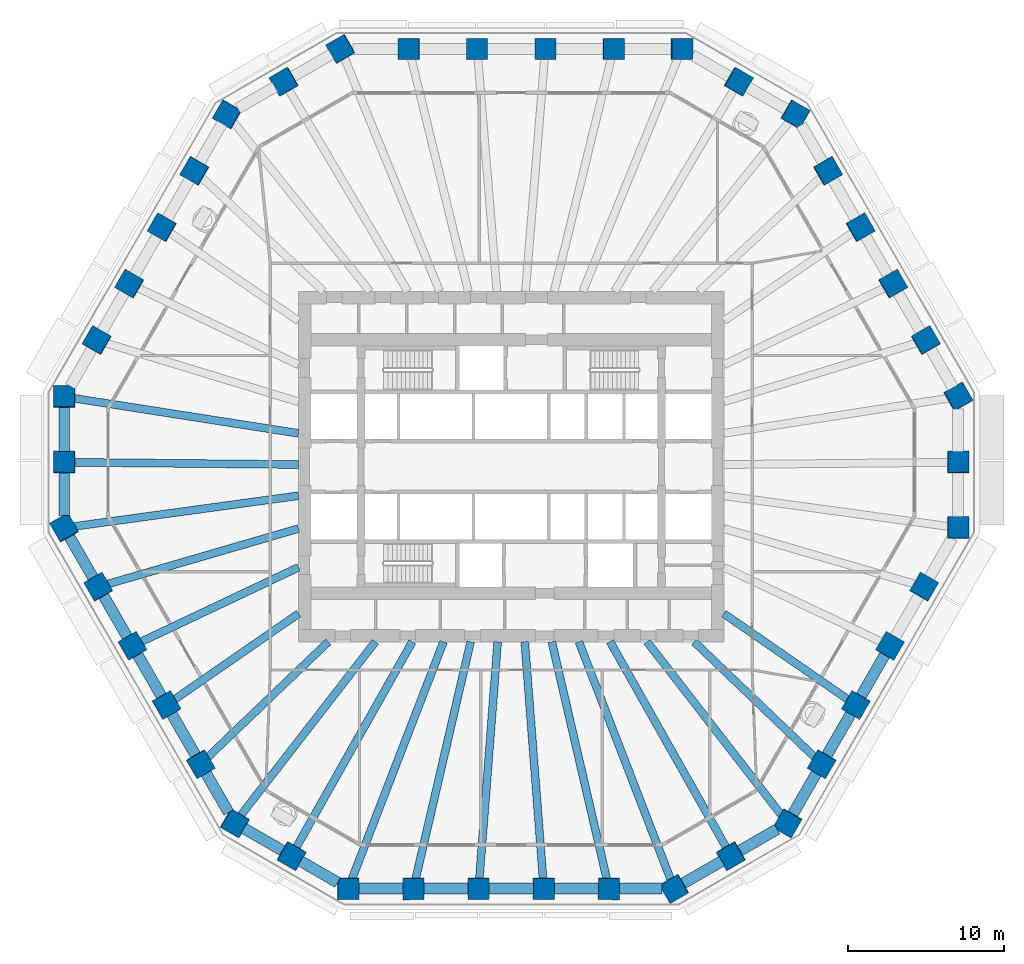
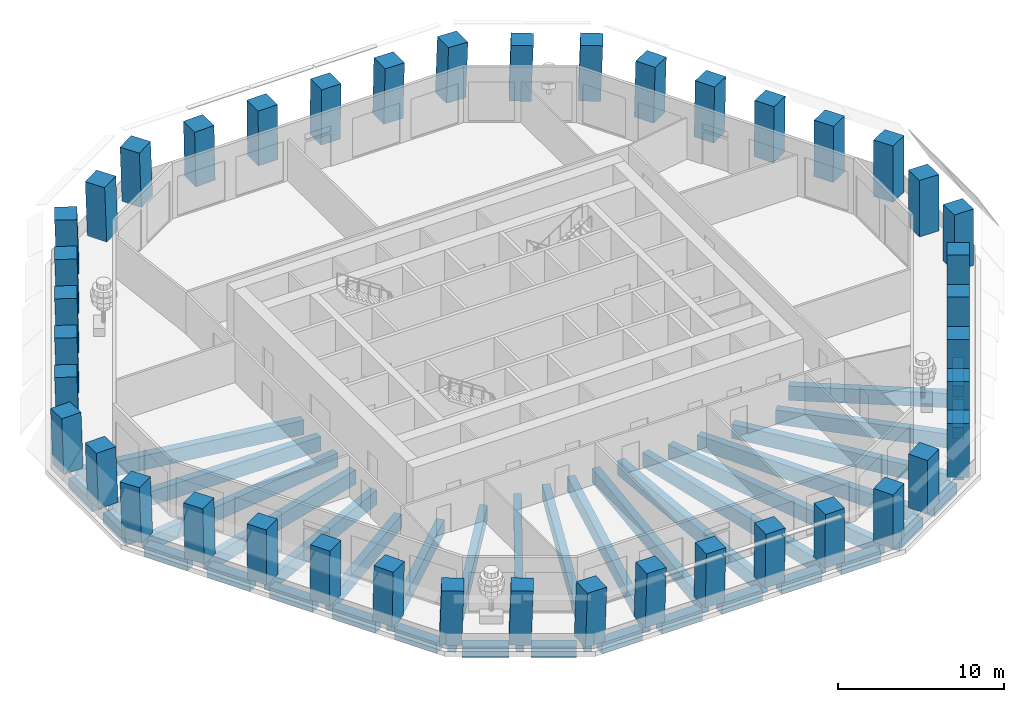
# One storey, part 1 of 12: 42 columns, 38 beams.
"""IFC4 building model written with IfcOpenShell, lengths in metres."""

from ifc_helpers import new_model, si_unit, direction, frame, origin, origin_2d, place, context, subcontext, project, spatial, rectangle, extrude, material, material_profile, profile_set, type_object, element, save


model = new_model("IFC4")

# Units and contexts
model_context = context("Model", 3, precision=1e-05, world=origin(), true_north=direction((0.0, 1.0)))
body_context = subcontext(model_context, "Body", "Model", "MODEL_VIEW")
ifc_project = project(units=[si_unit("LENGTHUNIT", "METRE"), si_unit("AREAUNIT", "SQUARE_METRE"), si_unit("VOLUMEUNIT", "CUBIC_METRE"), si_unit("PLANEANGLEUNIT", "RADIAN"), si_unit("MASSUNIT", "GRAM", prefix="KILO")], contexts=[model_context])

# Site, building, storey
site_placement = place(None, origin())
site = spatial("IfcSite", under=ifc_project, at=site_placement, CompositionType="ELEMENT")
building_placement = place(site_placement, origin())
building = spatial("IfcBuilding", under=site, at=building_placement, Name="Frailejon Research Tower", CompositionType="ELEMENT")
storey_placement = place(building_placement, frame((0.0, 0.0, 89.60009765625)))
storey = spatial("IfcBuildingStorey", under=building, at=storey_placement, Name="L19", CompositionType="ELEMENT", Elevation=89.60009765625)

# Columns
ifc_material_1 = material(Name="Concrete C70/85", Category="concrete")
ifc_material_profile_1 = material_profile(ifc_material_1, rectangle(XDim=1.35009765625, YDim=1.35009765625, at=origin_2d()), Name="Column 1350")
ifc_profile_set_1 = profile_set([ifc_material_profile_1], Name="Concrete C70/85")
column_type = type_object("IfcColumnType", Name="Column 1350", PredefinedType="COLUMN", material=ifc_profile_set_1)
for number, where, z_axis, x_axis, name in (
    (1, (28.572509765625, -3.910888671875, 0.0), (0.018133721723, 0.031387604711, 0.999342777233), (-2.2310109e-05, 0.999507138094, -0.031392362166), "Column C01"),
    (2, (28.572509765625, 0.276611328125, 0.0), (0.018133721723, 0.031387604711, 0.999342777233), (-0.000336417711, 0.999507260604, -0.031386666328), "Column C02"),
    (3, (28.572509765625, 4.464111328125, 0.0), (0.018133721723, 0.031387604711, 0.999342777233), (-0.499938617502, 0.865871183901, -0.018123786047), "Column C03"),
):
    element("IfcColumn", number, at=place(storey_placement, frame(where, z_axis=z_axis, x_axis=x_axis)), inside=storey, type_object=column_type, Name=name, PredefinedType="COLUMN", context=body_context, shape_type="SweptSolid", body=[
        extrude(rectangle(XDim=1.35009765625, YDim=1.35009765625, at=origin_2d()), origin(), (0.0, 0.0, 1.0), 4.052490234375),
    ])
column_1_placement = place(storey_placement, frame((26.48828125, 8.07373046875, 0.0), z_axis=(0.021810922545, 0.025124736744, 0.999446362373), x_axis=(-0.499316971817, 0.866351047288, -0.010882303046)))
element("IfcColumn", 4, at=column_1_placement, inside=storey, type_object=column_type, Name="Column C04", PredefinedType="COLUMN", context=body_context, shape_type="SweptSolid", body=[
    extrude(rectangle(XDim=1.35009765625, YDim=1.35009765625, at=origin_2d()), origin(), (0.0, 0.0, 1.0), 4.052001953125),
])
for number, where, z_axis, x_axis, name in (
    (5, (24.404296875, 11.683349609375, 0.0), (0.025427325519, 0.018859603999, 0.999498757605), (-0.499709920211, 0.866185204366, -0.003631443371), "Column C05"),
    (6, (22.3203125, 15.293212890625, 0.0), (0.029042609587, 0.012532910361, 0.999499601294), (-0.49879515245, 0.866712322629, 0.003625699323), "Column C06"),
):
    element("IfcColumn", number, at=place(storey_placement, frame(where, z_axis=z_axis, x_axis=x_axis)), inside=storey, type_object=column_type, Name=name, PredefinedType="COLUMN", context=body_context, shape_type="SweptSolid", body=[
        extrude(rectangle(XDim=1.35009765625, YDim=1.35009765625, at=origin_2d()), origin(), (0.0, 0.0, 1.0), 4.0517578125),
    ])
column_2_placement = place(storey_placement, frame((20.236328125, 18.90283203125, 0.0), z_axis=(0.032656153574, 0.006266125409, 0.99944700275), x_axis=(-0.499519802521, 0.866234012369, 0.010890486839)))
element("IfcColumn", 7, at=column_2_placement, inside=storey, type_object=column_type, Name="Column C07", PredefinedType="COLUMN", context=body_context, shape_type="SweptSolid", body=[
    extrude(rectangle(XDim=1.35009765625, YDim=1.35009765625, at=origin_2d()), origin(), (0.0, 0.0, 1.0), 4.052001953125),
])
for number, where, z_axis, x_axis, name in (
    (8, (18.15234375, 22.512451171875, 0.0), (0.036267419622, 0.0, 0.999342120734), (-0.865313477853, 0.500246354177, 0.031403346616), "Column C08"),
    (9, (14.525634765625, 24.606201171875, 0.0), (0.036267419622, 0.0, 0.999342120734), (-0.865313477853, 0.500246354177, 0.031403346616), "Column C09"),
    (10, (10.899169921875, 26.699951171875, 0.0), (0.036267419622, 0.0, 0.999342120734), (-0.999342120734, 0.0, 0.036267419622), "Column C10"),
):
    element("IfcColumn", number, at=place(storey_placement, frame(where, z_axis=z_axis, x_axis=x_axis)), inside=storey, type_object=column_type, Name=name, PredefinedType="COLUMN", context=body_context, shape_type="SweptSolid", body=[
        extrude(rectangle(XDim=1.35009765625, YDim=1.35009765625, at=origin_2d()), origin(), (0.0, 0.0, 1.0), 4.052490234375),
    ])
column_3_placement = place(storey_placement, frame((6.53955078125, 26.699951171875, 0.0), z_axis=(0.021757568282, 0.0, 0.999763276092), x_axis=(-0.999763276092, 0.0, 0.021757568282)))
element("IfcColumn", 11, at=column_3_placement, inside=storey, type_object=column_type, Name="Column C11", PredefinedType="COLUMN", context=body_context, shape_type="SweptSolid", body=[
    extrude(rectangle(XDim=1.35009765625, YDim=1.35009765625, at=origin_2d()), origin(), (0.0, 0.0, 1.0), 4.05078125),
])
for number, where, z_axis, x_axis, name in (
    (12, (2.1796875, 26.699951171875, 0.0), (0.007294235652, 0.0, 0.999973396709), (-0.999973396709, 0.0, 0.007294235652), "Column C12"),
    (13, (-2.1796875, 26.699951171875, 0.0), (-0.007294235652, 0.0, 0.999973396709), (-0.999973396709, 0.0, -0.007294235652), "Column C13"),
):
    element("IfcColumn", number, at=place(storey_placement, frame(where, z_axis=z_axis, x_axis=x_axis)), inside=storey, type_object=column_type, Name=name, PredefinedType="COLUMN", context=body_context, shape_type="SweptSolid", body=[
        extrude(rectangle(XDim=1.35009765625, YDim=1.35009765625, at=origin_2d()), origin(), (0.0, 0.0, 1.0), 4.0498046875),
    ])
column_4_placement = place(storey_placement, frame((-6.53955078125, 26.699951171875, 0.0), z_axis=(-0.021757568282, 0.0, 0.999763276092), x_axis=(-0.999763276092, 0.0, -0.021757568282)))
element("IfcColumn", 14, at=column_4_placement, inside=storey, type_object=column_type, Name="Column C14", PredefinedType="COLUMN", context=body_context, shape_type="SweptSolid", body=[
    extrude(rectangle(XDim=1.35009765625, YDim=1.35009765625, at=origin_2d()), origin(), (0.0, 0.0, 1.0), 4.05078125),
])
for number, where, z_axis, x_axis, name in (
    (15, (-10.899169921875, 26.699951171875, 0.0), (-0.036267419622, 0.0, 0.999342120734), (-0.865313477853, -0.500246354177, -0.031403346616), "Column C15"),
    (16, (-14.525634765625, 24.606201171875, 0.0), (-0.036267419622, 0.0, 0.999342120734), (-0.865313477853, -0.500246354177, -0.031403346616), "Column C16"),
    (17, (-18.15234375, 22.512451171875, 0.0), (-0.036267419622, 0.0, 0.999342120734), (-0.499424827821, -0.866167613071, -0.018124773713), "Column C17"),
):
    element("IfcColumn", number, at=place(storey_placement, frame(where, z_axis=z_axis, x_axis=x_axis)), inside=storey, type_object=column_type, Name=name, PredefinedType="COLUMN", context=body_context, shape_type="SweptSolid", body=[
        extrude(rectangle(XDim=1.35009765625, YDim=1.35009765625, at=origin_2d()), origin(), (0.0, 0.0, 1.0), 4.052490234375),
    ])
column_5_placement = place(storey_placement, frame((-20.236328125, 18.90283203125, 0.0), z_axis=(-0.032656153574, 0.006266125409, 0.99944700275), x_axis=(-0.499519802521, -0.866234012369, -0.010890486839)))
element("IfcColumn", 18, at=column_5_placement, inside=storey, type_object=column_type, Name="Column C18", PredefinedType="COLUMN", context=body_context, shape_type="SweptSolid", body=[
    extrude(rectangle(XDim=1.35009765625, YDim=1.35009765625, at=origin_2d()), origin(), (0.0, 0.0, 1.0), 4.052001953125),
])
for number, where, z_axis, x_axis, name in (
    (19, (-22.3203125, 15.293212890625, 0.0), (-0.029042609587, 0.012532910361, 0.999499601294), (-0.49879515245, -0.866712322629, -0.003625699323), "Column C19"),
    (20, (-24.404296875, 11.683349609375, 0.0), (-0.025427325519, 0.018859603999, 0.999498757605), (-0.499709920211, -0.866185204366, 0.003631443371), "Column C20"),
):
    element("IfcColumn", number, at=place(storey_placement, frame(where, z_axis=z_axis, x_axis=x_axis)), inside=storey, type_object=column_type, Name=name, PredefinedType="COLUMN", context=body_context, shape_type="SweptSolid", body=[
        extrude(rectangle(XDim=1.35009765625, YDim=1.35009765625, at=origin_2d()), origin(), (0.0, 0.0, 1.0), 4.0517578125),
    ])
column_6_placement = place(storey_placement, frame((-26.48828125, 8.07373046875, 0.0), z_axis=(-0.021810922545, 0.025124736744, 0.999446362373), x_axis=(-0.499316971817, -0.866351047288, 0.010882303046)))
element("IfcColumn", 21, at=column_6_placement, inside=storey, type_object=column_type, Name="Column C21", PredefinedType="COLUMN", context=body_context, shape_type="SweptSolid", body=[
    extrude(rectangle(XDim=1.35009765625, YDim=1.35009765625, at=origin_2d()), origin(), (0.0, 0.0, 1.0), 4.052001953125),
])
for number, where, z_axis, x_axis, name in (
    (22, (-28.572509765625, 4.464111328125, 0.0), (-0.018133721723, 0.031387604711, 0.999342777233), (-2.2310109e-05, -0.999507138094, 0.031392362166), "Column C22"),
    (23, (-28.572509765625, 0.276611328125, 0.0), (-0.018133721723, 0.031387604711, 0.999342777233), (-0.000336417711, -0.999507260604, 0.031386666328), "Column C23"),
    (24, (-28.572509765625, -3.910888671875, 0.0), (-0.018133721723, 0.031387604711, 0.999342777233), (0.500144780873, -0.865182746395, 0.036249324205), "Column C24"),
):
    element("IfcColumn", number, at=place(storey_placement, frame(where, z_axis=z_axis, x_axis=x_axis)), inside=storey, type_object=column_type, Name=name, PredefinedType="COLUMN", context=body_context, shape_type="SweptSolid", body=[
        extrude(rectangle(XDim=1.35009765625, YDim=1.35009765625, at=origin_2d()), origin(), (0.0, 0.0, 1.0), 4.052490234375),
    ])
column_7_placement = place(storey_placement, frame((-26.392578125, -7.6865234375, 0.0), z_axis=(-0.010908911174, 0.018864581201, 0.999762533421), x_axis=(0.500638363085, -0.865382200335, 0.021791667014)))
element("IfcColumn", 25, at=column_7_placement, inside=storey, type_object=column_type, Name="Column C25", PredefinedType="COLUMN", context=body_context, shape_type="SweptSolid", body=[
    extrude(rectangle(XDim=1.35009765625, YDim=1.35009765625, at=origin_2d()), origin(), (0.0, 0.0, 1.0), 4.05078125),
])
for number, where, z_axis, x_axis, name in (
    (26, (-24.212890625, -11.462158203125, 0.0), (-0.003616977835, 0.006269428248, 0.999973805527), (0.499535498869, -0.866263180051, 0.007237973273), "Column C26"),
    (27, (-22.032958984375, -15.23779296875, 0.0), (0.003616977835, -0.006269428248, 0.999973805527), (0.499535498869, -0.866263180051, -0.007237973273), "Column C27"),
):
    element("IfcColumn", number, at=place(storey_placement, frame(where, z_axis=z_axis, x_axis=x_axis)), inside=storey, type_object=column_type, Name=name, PredefinedType="COLUMN", context=body_context, shape_type="SweptSolid", body=[
        extrude(rectangle(XDim=1.35009765625, YDim=1.35009765625, at=origin_2d()), origin(), (0.0, 0.0, 1.0), 4.0498046875),
    ])
column_8_placement = place(storey_placement, frame((-19.85302734375, -19.013427734375, 0.0), z_axis=(0.010848648059, -0.01886459357, 0.999763188933), x_axis=(0.498562444949, -0.866580592009, -0.021761572546)))
element("IfcColumn", 28, at=column_8_placement, inside=storey, type_object=column_type, Name="Column C28", PredefinedType="COLUMN", context=body_context, shape_type="SweptSolid", body=[
    extrude(rectangle(XDim=1.35009765625, YDim=1.35009765625, at=origin_2d()), origin(), (0.0, 0.0, 1.0), 4.05078125),
])
for number, where, z_axis, x_axis, name in (
    (29, (-17.67333984375, -22.7890625, 0.0), (0.018133721723, -0.031387604711, 0.999342777233), (0.86588493646, -0.499257214888, -0.031392836679), "Column C29"),
    (30, (-14.046630859375, -24.8828125, 0.0), (0.018133721723, -0.031387604711, 0.999342777233), (0.86599921333, -0.499059227482, -0.031388691869), "Column C30"),
    (31, (-10.420166015625, -26.9765625, 0.0), (0.018133721723, -0.031387604711, 0.999342777233), (0.999835543525, 0.000801657374, -0.018117484634), "Column C31"),
):
    element("IfcColumn", number, at=place(storey_placement, frame(where, z_axis=z_axis, x_axis=x_axis)), inside=storey, type_object=column_type, Name=name, PredefinedType="COLUMN", context=body_context, shape_type="SweptSolid", body=[
        extrude(rectangle(XDim=1.35009765625, YDim=1.35009765625, at=origin_2d()), origin(), (0.0, 0.0, 1.0), 4.052490234375),
    ])
column_9_placement = place(storey_placement, frame((-6.252197265625, -26.9765625, 0.0), z_axis=(0.010905475742, -0.031390899789, 0.999447688481), x_axis=(0.9999402729, 0.001064003934, -0.01087743208)))
element("IfcColumn", 32, at=column_9_placement, inside=storey, type_object=column_type, Name="Column C32", PredefinedType="COLUMN", context=body_context, shape_type="SweptSolid", body=[
    extrude(rectangle(XDim=1.35009765625, YDim=1.35009765625, at=origin_2d()), origin(), (0.0, 0.0, 1.0), 4.052001953125),
])
for number, where, z_axis, x_axis, name in (
    (33, (-2.083984375, -26.9765625, 0.0), (0.003615266194, -0.031392561451, 0.999500593765), (0.999993458724, 0.000224611473, -0.00360999427), "Column C33"),
    (34, (2.083984375, -26.9765625, 0.0), (-0.003615266194, -0.031392561451, 0.999500593765), (0.999993458724, -0.000224611473, 0.00360999427), "Column C34"),
):
    element("IfcColumn", number, at=place(storey_placement, frame(where, z_axis=z_axis, x_axis=x_axis)), inside=storey, type_object=column_type, Name=name, PredefinedType="COLUMN", context=body_context, shape_type="SweptSolid", body=[
        extrude(rectangle(XDim=1.35009765625, YDim=1.35009765625, at=origin_2d()), origin(), (0.0, 0.0, 1.0), 4.0517578125),
    ])
column_10_placement = place(storey_placement, frame((6.252197265625, -26.9765625, 0.0), z_axis=(-0.010905475742, -0.031390899789, 0.999447688481), x_axis=(0.9999402729, -0.001064003934, 0.01087743208)))
element("IfcColumn", 35, at=column_10_placement, inside=storey, type_object=column_type, Name="Column C35", PredefinedType="COLUMN", context=body_context, shape_type="SweptSolid", body=[
    extrude(rectangle(XDim=1.35009765625, YDim=1.35009765625, at=origin_2d()), origin(), (0.0, 0.0, 1.0), 4.052001953125),
])
for number, where, z_axis, x_axis, name in (
    (36, (10.420166015625, -26.9765625, 0.0), (-0.018133721723, -0.031387604711, 0.999342777233), (0.86599921333, 0.499059227482, 0.031388691869), "Column C36"),
    (37, (14.046630859375, -24.8828125, 0.0), (-0.018133721723, -0.031387604711, 0.999342777233), (0.86599921333, 0.499059227482, 0.031388691869), "Column C37"),
    (38, (17.67333984375, -22.7890625, 0.0), (-0.018133721723, -0.031387604711, 0.999342777233), (0.499674779335, 0.865454274592, 0.036249323948), "Column C38"),
):
    element("IfcColumn", number, at=place(storey_placement, frame(where, z_axis=z_axis, x_axis=x_axis)), inside=storey, type_object=column_type, Name=name, PredefinedType="COLUMN", context=body_context, shape_type="SweptSolid", body=[
        extrude(rectangle(XDim=1.35009765625, YDim=1.35009765625, at=origin_2d()), origin(), (0.0, 0.0, 1.0), 4.052490234375),
    ])
column_11_placement = place(storey_placement, frame((19.85302734375, -19.013427734375, 0.0), z_axis=(-0.010848648059, -0.01886459357, 0.999763188933), x_axis=(0.498562444949, 0.866580592009, 0.021761572546)))
element("IfcColumn", 39, at=column_11_placement, inside=storey, type_object=column_type, Name="Column C39", PredefinedType="COLUMN", context=body_context, shape_type="SweptSolid", body=[
    extrude(rectangle(XDim=1.35009765625, YDim=1.35009765625, at=origin_2d()), origin(), (0.0, 0.0, 1.0), 4.05078125),
])
for number, where, z_axis, x_axis, name in (
    (40, (22.032958984375, -15.23779296875, 0.0), (-0.003616977835, -0.006269428248, 0.999973805527), (0.499535498869, 0.866263180051, 0.007237973273), "Column C40"),
    (41, (24.212890625, -11.462158203125, 0.0), (0.003616977835, 0.006269428248, 0.999973805527), (0.499535498869, 0.866263180051, -0.007237973273), "Column C41"),
):
    element("IfcColumn", number, at=place(storey_placement, frame(where, z_axis=z_axis, x_axis=x_axis)), inside=storey, type_object=column_type, Name=name, PredefinedType="COLUMN", context=body_context, shape_type="SweptSolid", body=[
        extrude(rectangle(XDim=1.35009765625, YDim=1.35009765625, at=origin_2d()), origin(), (0.0, 0.0, 1.0), 4.0498046875),
    ])
column_12_placement = place(storey_placement, frame((26.392578125, -7.6865234375, 0.0), z_axis=(0.010908911174, 0.018864581201, 0.999762533421), x_axis=(0.500638363085, 0.865382200335, -0.021791667014)))
element("IfcColumn", 42, at=column_12_placement, inside=storey, type_object=column_type, Name="Column C42", PredefinedType="COLUMN", context=body_context, shape_type="SweptSolid", body=[
    extrude(rectangle(XDim=1.35009765625, YDim=1.35009765625, at=origin_2d()), origin(), (0.0, 0.0, 1.0), 4.05078125),
])

# Beams
ifc_material_2 = material(Name="Concrete C60/75", Category="concrete")
ifc_material_profile_2 = material_profile(ifc_material_2, rectangle(XDim=0.5, YDim=1.050048828125, at=origin_2d()), Name="Girder 500x1050")
ifc_profile_set_2 = profile_set([ifc_material_profile_2], Name="Concrete C60/75")
beam_type_1 = type_object("IfcBeamType", Name="Girder 500x1050", PredefinedType="BEAM", material=ifc_profile_set_2)
beam_1_placement = place(storey_placement, frame((-28.045654296875, 4.3818359375, -0.8251953125), z_axis=(0.988012431702, -0.154374333369, 0.0), x_axis=(0.154374333369, 0.988012431702, 0.0)))
element("IfcBeam", 43, at=beam_1_placement, inside=storey, type_object=beam_type_1, Name="Girder 500x1050", PredefinedType="BEAM", context=body_context, shape_type="SweptSolid", body=[
    extrude(rectangle(XDim=0.5, YDim=1.050048828125, at=origin_2d()), origin(), (0.0, 0.0, 1.0), 14.620849609375),
])
beam_2_placement = place(storey_placement, frame((-28.047607421875, 0.271484375, -0.8251953125), z_axis=(0.999953124834, -0.009682362075, 0.0), x_axis=(0.009682362075, 0.999953124834, 0.0)))
element("IfcBeam", 44, at=beam_2_placement, inside=storey, type_object=beam_type_1, Name="Girder 500x1050", PredefinedType="BEAM", context=body_context, shape_type="SweptSolid", body=[
    extrude(rectangle(XDim=0.5, YDim=1.050048828125, at=origin_2d()), origin(), (0.0, 0.0, 1.0), 14.4482421875),
])
beam_3_placement = place(storey_placement, frame((-27.998779296875, -3.83251953125, -0.8251953125), z_axis=(0.990761036408, 0.135619204892, 0.0), x_axis=(-0.135619204892, 0.990761036408, 0.0)))
element("IfcBeam", 45, at=beam_3_placement, inside=storey, type_object=beam_type_1, Name="Girder 500x1050", PredefinedType="BEAM", context=body_context, shape_type="SweptSolid", body=[
    extrude(rectangle(XDim=0.5, YDim=1.050048828125, at=origin_2d()), origin(), (0.0, 0.0, 1.0), 14.532958984375),
])
beam_4_placement = place(storey_placement, frame((-25.869384765625, -7.5341796875, -0.8251953125), z_axis=(0.960111404203, 0.279617759664, 0.0), x_axis=(-0.279617759664, 0.960111404203, 0.0)))
element("IfcBeam", 46, at=beam_4_placement, inside=storey, type_object=beam_type_1, Name="Girder 500x1050", PredefinedType="BEAM", context=body_context, shape_type="SweptSolid", body=[
    extrude(rectangle(XDim=0.5, YDim=1.050048828125, at=origin_2d()), origin(), (0.0, 0.0, 1.0), 12.779052734375),
])
beam_5_placement = place(storey_placement, frame((-23.736328125, -11.236572265625, -0.8251953125), z_axis=(0.903842425603, 0.427865480823, 0.0), x_axis=(-0.427865480823, 0.903842425603, 0.0)))
element("IfcBeam", 47, at=beam_5_placement, inside=storey, type_object=beam_type_1, Name="Girder 500x1050", PredefinedType="BEAM", context=body_context, shape_type="SweptSolid", body=[
    extrude(rectangle(XDim=0.5, YDim=1.050048828125, at=origin_2d()), origin(), (0.0, 0.0, 1.0), 11.214599609375),
])
beam_6_placement = place(storey_placement, frame((-21.599365234375, -14.93798828125, -0.8251953125), z_axis=(0.822455971977, 0.568828774026, 0.0), x_axis=(-0.568828774026, 0.822455971977, 0.0)))
element("IfcBeam", 48, at=beam_6_placement, inside=storey, type_object=beam_type_1, Name="Girder 500x1050", PredefinedType="BEAM", context=body_context, shape_type="SweptSolid", body=[
    extrude(rectangle(XDim=0.5, YDim=1.050048828125, at=origin_2d()), origin(), (0.0, 0.0, 1.0), 9.72607421875),
])
beam_7_placement = place(storey_placement, frame((-19.45947265625, -18.636474609375, -0.8251953125), z_axis=(0.722212673584, 0.691671059185, 0.0), x_axis=(-0.691671059185, 0.722212673584, 0.0)))
element("IfcBeam", 49, at=beam_7_placement, inside=storey, type_object=beam_type_1, Name="Girder 500x1050", PredefinedType="BEAM", context=body_context, shape_type="SweptSolid", body=[
    extrude(rectangle(XDim=0.5, YDim=1.050048828125, at=origin_2d()), origin(), (0.0, 0.0, 1.0), 10.75146484375),
])
beam_8_placement = place(storey_placement, frame((-17.34765625, -22.369140625, -0.8251953125), z_axis=(0.612825500398, 0.790218264824, 0.0), x_axis=(-0.790218264824, 0.612825500398, 0.0)))
element("IfcBeam", 50, at=beam_8_placement, inside=storey, type_object=beam_type_1, Name="Girder 500x1050", PredefinedType="BEAM", context=body_context, shape_type="SweptSolid", body=[
    extrude(rectangle(XDim=0.5, YDim=1.050048828125, at=origin_2d()), origin(), (0.0, 0.0, 1.0), 14.13427734375),
])
beam_9_placement = place(storey_placement, frame((-13.78857421875, -24.425537109375, -0.8251953125), z_axis=(0.491594761276, 0.870824087107, 0.0), x_axis=(-0.870824087107, 0.491594761276, 0.0)))
element("IfcBeam", 51, at=beam_9_placement, inside=storey, type_object=beam_type_1, Name="Girder 500x1050", PredefinedType="BEAM", context=body_context, shape_type="SweptSolid", body=[
    extrude(rectangle(XDim=0.5, YDim=1.050048828125, at=origin_2d()), origin(), (0.0, 0.0, 1.0), 15.1875),
])
beam_10_placement = place(storey_placement, frame((-10.21337890625, -26.44140625, -0.8251953125), z_axis=(0.36031742786, 0.932829754661, 0.0), x_axis=(-0.932829754661, 0.36031742786, 0.0)))
element("IfcBeam", 52, at=beam_10_placement, inside=storey, type_object=beam_type_1, Name="Girder 500x1050", PredefinedType="BEAM", context=body_context, shape_type="SweptSolid", body=[
    extrude(rectangle(XDim=0.5, YDim=1.050048828125, at=origin_2d()), origin(), (0.0, 0.0, 1.0), 16.3388671875),
])
beam_11_placement = place(storey_placement, frame((-6.12939453125, -26.44775390625, -0.8251953125), z_axis=(0.225767342968, 0.974181249486, 0.0), x_axis=(-0.974181249486, 0.225767342968, 0.0)))
element("IfcBeam", 53, at=beam_11_placement, inside=storey, type_object=beam_type_1, Name="Girder 500x1050", PredefinedType="BEAM", context=body_context, shape_type="SweptSolid", body=[
    extrude(rectangle(XDim=0.5, YDim=1.050048828125, at=origin_2d()), origin(), (0.0, 0.0, 1.0), 15.65185546875),
])
for number, where, z_axis, x_axis, name in (
    (54, (-2.04345703125, -26.451171875, -0.8251953125), (0.077024809197, 0.997029176488, 0.0), (-0.997029176488, 0.077024809197, 0.0), "Girder 500x1050"),
    (55, (2.04345703125, -26.451171875, -0.8251953125), (-0.077024809197, 0.997029176488, 0.0), (-0.997029176488, -0.077024809197, 0.0), "Girder 500x1050"),
):
    element("IfcBeam", number, at=place(storey_placement, frame(where, z_axis=z_axis, x_axis=x_axis)), inside=storey, type_object=beam_type_1, Name=name, PredefinedType="BEAM", context=body_context, shape_type="SweptSolid", body=[
        extrude(rectangle(XDim=0.5, YDim=1.050048828125, at=origin_2d()), origin(), (0.0, 0.0, 1.0), 15.296630859375),
    ])
beam_12_placement = place(storey_placement, frame((6.12939453125, -26.44775390625, -0.8251953125), z_axis=(-0.225767342968, 0.974181249486, 0.0), x_axis=(-0.974181249486, -0.225767342968, 0.0)))
element("IfcBeam", 56, at=beam_12_placement, inside=storey, type_object=beam_type_1, Name="Girder 500x1050", PredefinedType="BEAM", context=body_context, shape_type="SweptSolid", body=[
    extrude(rectangle(XDim=0.5, YDim=1.050048828125, at=origin_2d()), origin(), (0.0, 0.0, 1.0), 15.65185546875),
])
beam_13_placement = place(storey_placement, frame((10.22802734375, -26.479248046875, -0.8251953125), z_axis=(-0.360319104464, 0.932829107049, 0.0), x_axis=(-0.932829107049, -0.360319104464, 0.0)))
element("IfcBeam", 57, at=beam_13_placement, inside=storey, type_object=beam_type_1, Name="Girder 500x1050", PredefinedType="BEAM", context=body_context, shape_type="SweptSolid", body=[
    extrude(rectangle(XDim=0.5, YDim=1.050048828125, at=origin_2d()), origin(), (0.0, 0.0, 1.0), 16.379638671875),
])
beam_14_placement = place(storey_placement, frame((13.78857421875, -24.425537109375, -0.8251953125), z_axis=(-0.491594761276, 0.870824087107, 0.0), x_axis=(-0.870824087107, -0.491594761276, 0.0)))
element("IfcBeam", 58, at=beam_14_placement, inside=storey, type_object=beam_type_1, Name="Girder 500x1050", PredefinedType="BEAM", context=body_context, shape_type="SweptSolid", body=[
    extrude(rectangle(XDim=0.5, YDim=1.050048828125, at=origin_2d()), origin(), (0.0, 0.0, 1.0), 15.1875),
])
beam_15_placement = place(storey_placement, frame((17.318359375, -22.331298828125, -0.8251953125), z_axis=(-0.612827715829, 0.790216546721, 0.0), x_axis=(-0.790216546721, -0.612827715829, 0.0)))
element("IfcBeam", 59, at=beam_15_placement, inside=storey, type_object=beam_type_1, Name="Girder 500x1050", PredefinedType="BEAM", context=body_context, shape_type="SweptSolid", body=[
    extrude(rectangle(XDim=0.5, YDim=1.050048828125, at=origin_2d()), origin(), (0.0, 0.0, 1.0), 14.08642578125),
])
beam_16_placement = place(storey_placement, frame((19.45947265625, -18.636474609375, -0.8251953125), z_axis=(-0.722212673584, 0.691671059185, 0.0), x_axis=(-0.691671059185, -0.722212673584, 0.0)))
element("IfcBeam", 60, at=beam_16_placement, inside=storey, type_object=beam_type_1, Name="Girder 500x1050", PredefinedType="BEAM", context=body_context, shape_type="SweptSolid", body=[
    extrude(rectangle(XDim=0.5, YDim=1.050048828125, at=origin_2d()), origin(), (0.0, 0.0, 1.0), 10.75146484375),
])
beam_17_placement = place(storey_placement, frame((21.599365234375, -14.93798828125, -0.8251953125), z_axis=(-0.822455971977, 0.568828774026, 0.0), x_axis=(-0.568828774026, -0.822455971977, 0.0)))
element("IfcBeam", 61, at=beam_17_placement, inside=storey, type_object=beam_type_1, Name="Girder 500x1050", PredefinedType="BEAM", context=body_context, shape_type="SweptSolid", body=[
    extrude(rectangle(XDim=0.5, YDim=1.050048828125, at=origin_2d()), origin(), (0.0, 0.0, 1.0), 9.72607421875),
])
ifc_material_3 = material(Name="Concrete C60/75", Category="concrete")
ifc_material_profile_3 = material_profile(ifc_material_3, rectangle(XDim=0.699951171875, YDim=0.800048828125, at=origin_2d()), Name="Spandrel 700x800")
ifc_profile_set_3 = profile_set([ifc_material_profile_3], Name="Concrete C60/75")
beam_type_2 = type_object("IfcBeamType", Name="Spandrel 700x800", PredefinedType="BEAM", material=ifc_profile_set_3)
beam_18_placement = place(storey_placement, frame((-28.572509765625, 3.7890625, -0.75), z_axis=(0.0, -1.0, 0.0), x_axis=(1.0, 0.0, 0.0)))
element("IfcBeam", 62, at=beam_18_placement, inside=storey, type_object=beam_type_2, Name="Spandrel 700x800", PredefinedType="BEAM", context=body_context, shape_type="SweptSolid", body=[
    extrude(rectangle(XDim=0.699951171875, YDim=0.800048828125, at=origin_2d()), origin(), (0.0, 0.0, 1.0), 2.83740234375),
])
beam_19_placement = place(storey_placement, frame((-28.572509765625, -0.3984375, -0.75), z_axis=(0.0, -1.0, 0.0), x_axis=(1.0, 0.0, 0.0)))
element("IfcBeam", 63, at=beam_19_placement, inside=storey, type_object=beam_type_2, Name="Spandrel 700x800", PredefinedType="BEAM", context=body_context, shape_type="SweptSolid", body=[
    extrude(rectangle(XDim=0.699951171875, YDim=0.800048828125, at=origin_2d()), origin(), (0.0, 0.0, 1.0), 2.733154296875),
])
for number, where, z_axis, x_axis, name in (
    (64, (-28.235107421875, -4.49560546875, -0.75), (0.500073520329, -0.865982952641, 0.0), (0.865982952641, 0.500073520329, 0.0), "Spandrel 700x800"),
    (65, (-26.05517578125, -8.271240234375, -0.75), (0.500012686397, -0.866018079166, 0.0), (0.866018079166, 0.500012686397, 0.0), "Spandrel 700x800"),
):
    element("IfcBeam", number, at=place(storey_placement, frame(where, z_axis=z_axis, x_axis=x_axis)), inside=storey, type_object=beam_type_2, Name=name, PredefinedType="BEAM", context=body_context, shape_type="SweptSolid", body=[
        extrude(rectangle(XDim=0.699951171875, YDim=0.800048828125, at=origin_2d()), origin(), (0.0, 0.0, 1.0), 3.009765625),
    ])
for number, where, z_axis, x_axis, name in (
    (66, (-23.875244140625, -12.046875, -0.75), (0.499951845063, -0.866053204265, 0.0), (0.866053204265, 0.499951845063, 0.0), "Spandrel 700x800"),
    (67, (-21.695556640625, -15.822509765625, -0.75), (0.500047814266, -0.865997796445, 0.0), (0.865997796445, 0.500047814266, 0.0), "Spandrel 700x800"),
):
    element("IfcBeam", number, at=place(storey_placement, frame(where, z_axis=z_axis, x_axis=x_axis)), inside=storey, type_object=beam_type_2, Name=name, PredefinedType="BEAM", context=body_context, shape_type="SweptSolid", body=[
        extrude(rectangle(XDim=0.699951171875, YDim=0.800048828125, at=origin_2d()), origin(), (0.0, 0.0, 1.0), 3.009521484375),
    ])
beam_20_placement = place(storey_placement, frame((-19.515625, -19.597900390625, -0.75), z_axis=(0.499989167784, -0.866031657677, 0.0), x_axis=(0.866031657677, 0.499989167784, 0.0)))
element("IfcBeam", 68, at=beam_20_placement, inside=storey, type_object=beam_type_2, Name="Spandrel 700x800", PredefinedType="BEAM", context=body_context, shape_type="SweptSolid", body=[
    extrude(rectangle(XDim=0.699951171875, YDim=0.800048828125, at=origin_2d()), origin(), (0.0, 0.0, 1.0), 2.9052734375),
])
beam_21_placement = place(storey_placement, frame((-17.088623046875, -23.12646484375, -0.75), z_axis=(0.865989280058, -0.500062562911, 0.0), x_axis=(0.500062562911, 0.865989280058, 0.0)))
element("IfcBeam", 69, at=beam_21_placement, inside=storey, type_object=beam_type_2, Name="Spandrel 700x800", PredefinedType="BEAM", context=body_context, shape_type="SweptSolid", body=[
    extrude(rectangle(XDim=0.699951171875, YDim=0.800048828125, at=origin_2d()), origin(), (0.0, 0.0, 1.0), 2.837646484375),
])
beam_22_placement = place(storey_placement, frame((-13.462158203125, -25.22021484375, -0.75), z_axis=(0.866002615699, -0.500039468044, 0.0), x_axis=(0.500039468044, 0.866002615699, 0.0)))
element("IfcBeam", 70, at=beam_22_placement, inside=storey, type_object=beam_type_2, Name="Spandrel 700x800", PredefinedType="BEAM", context=body_context, shape_type="SweptSolid", body=[
    extrude(rectangle(XDim=0.699951171875, YDim=0.800048828125, at=origin_2d()), origin(), (0.0, 0.0, 1.0), 2.733154296875),
])
for number, where, z_axis, x_axis, name in (
    (71, (-9.7451171875, -26.9765625, -0.75), (1.0, 0.0, 0.0), (0.0, 1.0, 0.0), "Spandrel 700x800"),
    (72, (-5.5771484375, -26.9765625, -0.75), (1.0, 0.0, 0.0), (0.0, 1.0, 0.0), "Spandrel 700x800"),
):
    element("IfcBeam", number, at=place(storey_placement, frame(where, z_axis=z_axis, x_axis=x_axis)), inside=storey, type_object=beam_type_2, Name=name, PredefinedType="BEAM", context=body_context, shape_type="SweptSolid", body=[
        extrude(rectangle(XDim=0.699951171875, YDim=0.800048828125, at=origin_2d()), origin(), (0.0, 0.0, 1.0), 2.818115234375),
    ])
beam_23_placement = place(storey_placement, frame((-1.408935546875, -26.9765625, -0.75), z_axis=(1.0, 0.0, 0.0), x_axis=(0.0, 1.0, 0.0)))
element("IfcBeam", 73, at=beam_23_placement, inside=storey, type_object=beam_type_2, Name="Spandrel 700x800", PredefinedType="BEAM", context=body_context, shape_type="SweptSolid", body=[
    extrude(rectangle(XDim=0.699951171875, YDim=0.800048828125, at=origin_2d()), origin(), (0.0, 0.0, 1.0), 2.81787109375),
])
beam_24_placement = place(storey_placement, frame((2.759033203125, -26.9765625, -0.75), z_axis=(1.0, 0.0, 0.0), x_axis=(0.0, 1.0, 0.0)))
element("IfcBeam", 74, at=beam_24_placement, inside=storey, type_object=beam_type_2, Name="Spandrel 700x800", PredefinedType="BEAM", context=body_context, shape_type="SweptSolid", body=[
    extrude(rectangle(XDim=0.699951171875, YDim=0.800048828125, at=origin_2d()), origin(), (0.0, 0.0, 1.0), 2.818115234375),
])
beam_25_placement = place(storey_placement, frame((6.927001953125, -26.9765625, -0.75), z_axis=(1.0, 0.0, 0.0), x_axis=(0.0, 1.0, 0.0)))
element("IfcBeam", 75, at=beam_25_placement, inside=storey, type_object=beam_type_2, Name="Spandrel 700x800", PredefinedType="BEAM", context=body_context, shape_type="SweptSolid", body=[
    extrude(rectangle(XDim=0.699951171875, YDim=0.800048828125, at=origin_2d()), origin(), (0.0, 0.0, 1.0), 2.7138671875),
])
beam_26_placement = place(storey_placement, frame((11.0048828125, -26.63916015625, -0.75), z_axis=(0.865989280058, 0.500062562911, 0.0), x_axis=(-0.500062562911, 0.865989280058, 0.0)))
element("IfcBeam", 76, at=beam_26_placement, inside=storey, type_object=beam_type_2, Name="Spandrel 700x800", PredefinedType="BEAM", context=body_context, shape_type="SweptSolid", body=[
    extrude(rectangle(XDim=0.699951171875, YDim=0.800048828125, at=origin_2d()), origin(), (0.0, 0.0, 1.0), 2.837646484375),
])
beam_27_placement = place(storey_placement, frame((14.63134765625, -24.54541015625, -0.75), z_axis=(0.866002615699, 0.500039468044, 0.0), x_axis=(-0.500039468044, 0.866002615699, 0.0)))
element("IfcBeam", 77, at=beam_27_placement, inside=storey, type_object=beam_type_2, Name="Spandrel 700x800", PredefinedType="BEAM", context=body_context, shape_type="SweptSolid", body=[
    extrude(rectangle(XDim=0.699951171875, YDim=0.800048828125, at=origin_2d()), origin(), (0.0, 0.0, 1.0), 2.733154296875),
])
beam_28_placement = place(storey_placement, frame((18.0107421875, -22.204345703125, -0.75), z_axis=(0.500012686397, 0.866018079166, 0.0), x_axis=(-0.866018079166, 0.500012686397, 0.0)))
element("IfcBeam", 78, at=beam_28_placement, inside=storey, type_object=beam_type_2, Name="Spandrel 700x800", PredefinedType="BEAM", context=body_context, shape_type="SweptSolid", body=[
    extrude(rectangle(XDim=0.699951171875, YDim=0.800048828125, at=origin_2d()), origin(), (0.0, 0.0, 1.0), 3.009765625),
])
for number, where, z_axis, x_axis, name in (
    (79, (20.190673828125, -18.4287109375, -0.75), (0.500047814266, 0.865997796445, 0.0), (-0.865997796445, 0.500047814266, 0.0), "Spandrel 700x800"),
    (80, (22.37060546875, -14.6533203125, -0.75), (0.499951845063, 0.866053204265, 0.0), (-0.866053204265, 0.499951845063, 0.0), "Spandrel 700x800"),
):
    element("IfcBeam", number, at=place(storey_placement, frame(where, z_axis=z_axis, x_axis=x_axis)), inside=storey, type_object=beam_type_2, Name=name, PredefinedType="BEAM", context=body_context, shape_type="SweptSolid", body=[
        extrude(rectangle(XDim=0.699951171875, YDim=0.800048828125, at=origin_2d()), origin(), (0.0, 0.0, 1.0), 3.009521484375),
    ])

save(model, "model.ifc")
